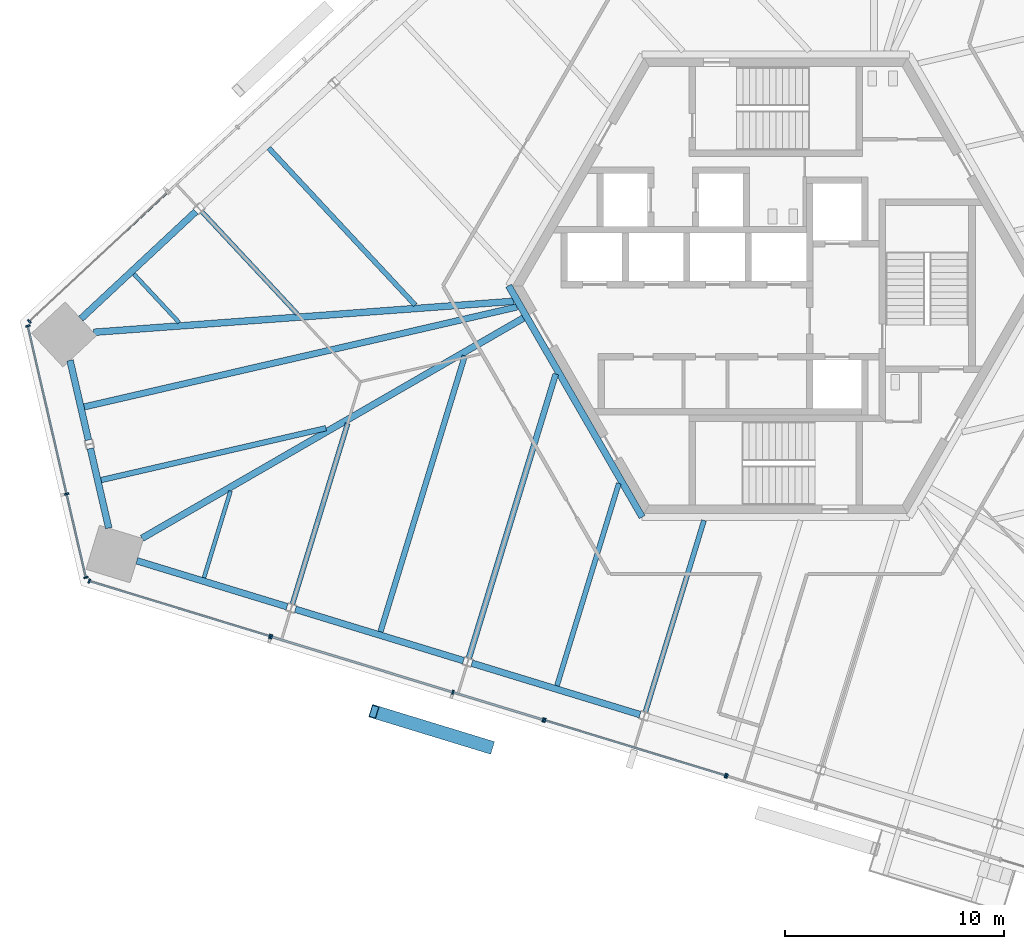
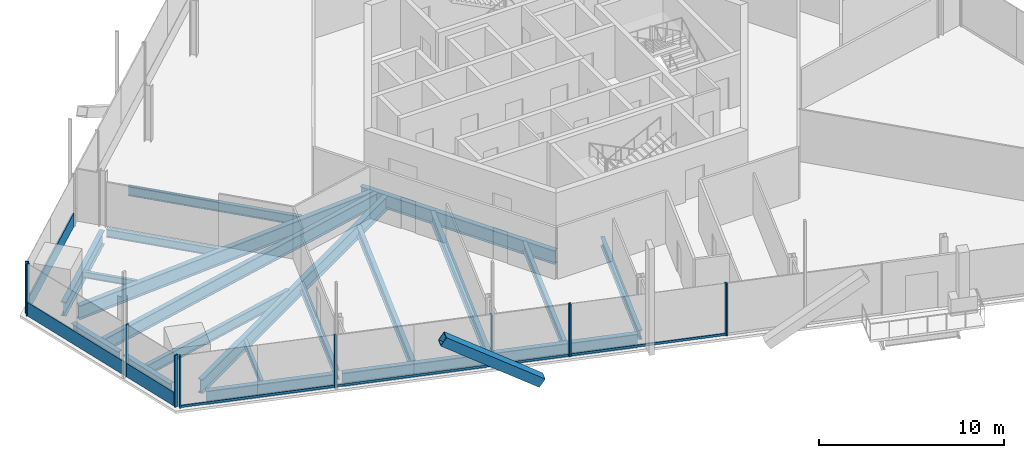
# One storey, part 4 of 21: 20 beams, 20 members, 6 elements without a shape of their own.
"""IFC4 building model written with IfcOpenShell, lengths in metres."""

from ifc_helpers import new_model, si_unit, direction, frame, origin, origin_2d, place, context, subcontext, project, spatial, rectangle, hollow_rectangle, i_section, extrude, source, transform, mapped, material, material_profile, profile_set, type_object, element, aggregate, save


model = new_model("IFC4")

# Units and contexts
model_context = context("Model", 3, precision=1e-05, world=origin(), true_north=direction((0.0, 1.0)))
body_context = subcontext(model_context, "Body", "Model", "MODEL_VIEW")
ifc_project = project(units=[si_unit("LENGTHUNIT", "METRE"), si_unit("AREAUNIT", "SQUARE_METRE"), si_unit("VOLUMEUNIT", "CUBIC_METRE"), si_unit("PLANEANGLEUNIT", "RADIAN"), si_unit("MASSUNIT", "GRAM", prefix="KILO")], contexts=[model_context])

# Site, building, storey
site_placement = place(None, origin())
site = spatial("IfcSite", under=ifc_project, at=site_placement, CompositionType="ELEMENT")
building_placement = place(site_placement, origin())
building = spatial("IfcBuilding", under=site, at=building_placement, Name="Triune Harvest Tower", CompositionType="ELEMENT")
storey_placement = place(building_placement, frame((0.0, 0.0, 119.89990234375)))
storey = spatial("IfcBuildingStorey", under=building, at=storey_placement, Name="L30", CompositionType="ELEMENT", Elevation=119.89990234375)

# Curtain wall, members
ifc_material_1 = material(Name="Aluminium bronze anodised", Category="aluminium")
curtain_wall_type_1 = type_object("IfcCurtainWallType", Name="CW-10 Balcony window wall with insulated spandrel infill", PredefinedType="NOTDEFINED", material=ifc_material_1)
curtain_wall_1_placement = place(storey_placement, origin())
curtain_wall_1 = element("IfcCurtainWall", 1, at=curtain_wall_1_placement, inside=storey, type_object=curtain_wall_type_1, Name="CW-10 B3-F5 L30 run 1001")
ifc_material_2 = material(Name="Aluminium bronze anodised", Category="aluminium")
ifc_material_profile_1 = material_profile(ifc_material_2, rectangle(XDim=0.090087890625, YDim=0.14990234375, at=origin_2d()), Name="TR-6 transom 90 x 150")
ifc_profile_set_1 = profile_set([ifc_material_profile_1], Name="Aluminium bronze anodised")
member_type_1 = type_object("IfcMemberType", Name="TR-6 transom 90 x 150", PredefinedType="USERDEFINED", material=ifc_profile_set_1)
member_1_placement = place(storey_placement, frame((-22.953125, -16.012939453125, 0.0751953125), z_axis=(0.956304476815, -0.292372617774, 0.0), x_axis=(0.292372617774, 0.956304476815, 0.0)))
member_1 = element("IfcMember", 2, at=member_1_placement, type_object=member_type_1, Name="CW-10 transom B3-F5 1001.1", ObjectType="TRANSOM", PredefinedType="USERDEFINED", context=body_context, shape_type="SweptSolid", body=[
    extrude(rectangle(XDim=0.090087890625, YDim=0.14990234375, at=origin_2d()), origin(), (0.0, 0.0, 1.0), 8.57421875),
])
member_2_placement = place(storey_placement, frame((-14.681884765625, -18.541748046875, 0.0751953125), z_axis=(0.956302732551, -0.292378322925, 0.0), x_axis=(0.292378322925, 0.956302732551, 0.0)))
member_2 = element("IfcMember", 3, at=member_2_placement, type_object=member_type_1, Name="CW-10 transom B3-F5 1001.2", ObjectType="TRANSOM", PredefinedType="USERDEFINED", context=body_context, shape_type="SweptSolid", body=[
    extrude(rectangle(XDim=0.090087890625, YDim=0.14990234375, at=origin_2d()), origin(), (0.0, 0.0, 1.0), 4.23095703125),
])

# Beams
ifc_material_3 = material(Name="Steel ASTM A992 Gr 50", Category="steel")
ifc_material_profile_2 = material_profile(ifc_material_3, i_section(OverallWidth=0.3046875, OverallDepth=0.914306640625, WebThickness=0.0166015625, FlangeThickness=0.02587890625, at=origin_2d()), Name="W36x160")
ifc_profile_set_2 = profile_set([ifc_material_profile_2], Name="Steel ASTM A992 Gr 50")
beam_type_1 = type_object("IfcBeamType", Name="CG-1 Core ring girder W36x160", PredefinedType="BEAM", material=ifc_profile_set_2)
shared_shape_1 = source(origin(), body_context, "Body", "SweptSolid", [
    extrude(i_section(OverallWidth=0.3046875, OverallDepth=0.914306640625, WebThickness=0.0166015625, FlangeThickness=0.02587890625, at=origin_2d()), origin(), (0.0, 0.0, 1.0), 12.176025390625),
])
beam_1_placement = place(storey_placement, frame((-12.176025390625, 0.0, -0.6171875), z_axis=(0.5000099932, -0.866019634131, 0.0), x_axis=(0.866019634131, 0.5000099932, 0.0)))
element("IfcBeam", 4, at=beam_1_placement, inside=storey, type_object=beam_type_1, Name="beam/L30/CG4", PredefinedType="BEAM", context=body_context, shape_type="MappedRepresentation", body=[
    mapped(shared_shape_1, transform((0.0, 0.0, 0.0), scale=1.0)),
])
ifc_material_4 = material(Name="Steel ASTM A992 Gr 50", Category="steel")
ifc_material_profile_3 = material_profile(ifc_material_4, i_section(OverallWidth=0.3046875, OverallDepth=0.914306640625, WebThickness=0.0166015625, FlangeThickness=0.02587890625, at=origin_2d()), Name="W36x160")
ifc_profile_set_3 = profile_set([ifc_material_profile_3], Name="Steel ASTM A992 Gr 50")
beam_type_2 = type_object("IfcBeamType", Name="SB-1 Spandrel beam W36x160", PredefinedType="SPANDREL", material=ifc_profile_set_3)
shared_shape_2 = source(origin(), body_context, "Body", "SweptSolid", [
    extrude(i_section(OverallWidth=0.3046875, OverallDepth=0.914306640625, WebThickness=0.0166015625, FlangeThickness=0.02587890625, at=origin_2d()), origin(), (0.0, 0.0, 1.0), 8.018310546875),
])
beam_2_placement = place(storey_placement, frame((-21.8994140625, -14.747314453125, -0.6171875), z_axis=(0.956308069579, -0.292360866152, 0.0), x_axis=(0.292360866152, 0.956308069579, 0.0)))
element("IfcBeam", 5, at=beam_2_placement, inside=storey, type_object=beam_type_2, Name="beam/L30/SB18", PredefinedType="SPANDREL", context=body_context, shape_type="MappedRepresentation", body=[
    mapped(shared_shape_2, transform((0.0, 0.0, 0.0), scale=1.0)),
])
shared_shape_3 = source(origin(), body_context, "Body", "SweptSolid", [
    extrude(i_section(OverallWidth=0.3046875, OverallDepth=0.914306640625, WebThickness=0.0166015625, FlangeThickness=0.02587890625, at=origin_2d()), origin(), (0.0, 0.0, 1.0), 8.01806640625),
])
beam_3_placement = place(storey_placement, frame((-13.8525390625, -17.207275390625, -0.6171875), z_axis=(0.956305466934, -0.292369379231, 0.0), x_axis=(0.292369379231, 0.956305466934, 0.0)))
element("IfcBeam", 6, at=beam_3_placement, inside=storey, type_object=beam_type_2, Name="beam/L30/SB19", PredefinedType="SPANDREL", context=body_context, shape_type="MappedRepresentation", body=[
    mapped(shared_shape_3, transform((0.0, 0.0, 0.0), scale=1.0)),
])
shared_shape_4 = source(origin(), body_context, "Body", "SweptSolid", [
    extrude(i_section(OverallWidth=0.3046875, OverallDepth=0.914306640625, WebThickness=0.0166015625, FlangeThickness=0.02587890625, at=origin_2d()), origin(), (0.0, 0.0, 1.0), 7.16650390625),
])
for number, where, z_axis, x_axis, name in (
    (7, (-26.4375, 3.384521484375, -0.6171875), (-0.731357675554, -0.681994098515, 0.0), (0.681994098515, -0.731357675554, 0.0), "beam/L30/SB14"),
    (8, (-29.131591796875, -12.5361328125, -0.6171875), (0.956306336732, -0.292366534211, 0.0), (0.292366534211, 0.956306336732, 0.0), "beam/L30/SB17"),
):
    element("IfcBeam", number, at=place(storey_placement, frame(where, z_axis=z_axis, x_axis=x_axis)), inside=storey, type_object=beam_type_2, Name=name, PredefinedType="SPANDREL", context=body_context, shape_type="MappedRepresentation", body=[
        mapped(shared_shape_4, transform((0.0, 0.0, 0.0), scale=1.0)),
    ])
shared_shape_5 = source(origin(), body_context, "Body", "SweptSolid", [
    extrude(i_section(OverallWidth=0.3046875, OverallDepth=0.914306640625, WebThickness=0.0166015625, FlangeThickness=0.02587890625, at=origin_2d()), origin(), (0.0, 0.0, 1.0), 3.72607421875),
])
for number, where, z_axis, x_axis, name in (
    (9, (-32.173828125, -3.400390625, -0.6171875), (0.224936070713, -0.974373523908, 0.0), (0.974373523908, 0.224936070713, 0.0), "beam/L30/SB15"),
    (10, (-31.24658203125, -7.4169921875, -0.6171875), (0.224998275907, -0.974359161623, 0.0), (0.974359161623, 0.224998275907, 0.0), "beam/L30/SB16"),
):
    element("IfcBeam", number, at=place(storey_placement, frame(where, z_axis=z_axis, x_axis=x_axis)), inside=storey, type_object=beam_type_2, Name=name, PredefinedType="SPANDREL", context=body_context, shape_type="MappedRepresentation", body=[
        mapped(shared_shape_5, transform((0.0, 0.0, 0.0), scale=1.0)),
    ])
ifc_material_5 = material(Name="Steel ASTM A992 Gr 50", Category="steel")
ifc_material_profile_4 = material_profile(ifc_material_5, i_section(OverallWidth=0.307373046875, OverallDepth=0.922119140625, WebThickness=0.018310546875, FlangeThickness=0.030029296875, at=origin_2d()), Name="W36x182")
ifc_profile_set_4 = profile_set([ifc_material_profile_4], Name="Steel ASTM A992 Gr 50")
beam_type_3 = type_object("IfcBeamType", Name="HG-2 Hip girder W36x182", PredefinedType="BEAM", material=ifc_profile_set_4)
shared_shape_6 = source(origin(), body_context, "Body", "SweptSolid", [
    extrude(i_section(OverallWidth=0.307373046875, OverallDepth=0.922119140625, WebThickness=0.018310546875, FlangeThickness=0.030029296875, at=origin_2d()), origin(), (0.0, 0.0, 1.0), 19.2109375),
])
beam_4_placement = place(storey_placement, frame((-31.103515625, -2.119873046875, -0.620849609375), z_axis=(0.997285410262, 0.07363294425, 0.0), x_axis=(-0.07363294425, 0.997285410262, 0.0)))
element("IfcBeam", 11, at=beam_4_placement, inside=storey, type_object=beam_type_3, Name="beam/L30/HG5", PredefinedType="BEAM", context=body_context, shape_type="MappedRepresentation", body=[
    mapped(shared_shape_6, transform((0.0, 0.0, 0.0), scale=1.0)),
])
shared_shape_7 = source(origin(), body_context, "Body", "SweptSolid", [
    extrude(i_section(OverallWidth=0.307373046875, OverallDepth=0.922119140625, WebThickness=0.018310546875, FlangeThickness=0.030029296875, at=origin_2d()), origin(), (0.0, 0.0, 1.0), 20.080078125),
])
beam_5_placement = place(storey_placement, frame((-28.892333984375, -11.51123046875, -0.620849609375), z_axis=(0.866025837197, 0.499999249307, 0.0), x_axis=(-0.499999249307, 0.866025837197, 0.0)))
element("IfcBeam", 12, at=beam_5_placement, inside=storey, type_object=beam_type_3, Name="beam/L30/HG6", PredefinedType="BEAM", context=body_context, shape_type="MappedRepresentation", body=[
    mapped(shared_shape_7, transform((0.0, 0.0, 0.0), scale=1.0)),
])
ifc_material_6 = material(Name="Steel ASTM A992 Gr 50", Category="steel")
ifc_material_profile_5 = material_profile(ifc_material_6, i_section(OverallWidth=0.22900390625, OverallDepth=0.612060546875, WebThickness=0.011962890625, FlangeThickness=0.01953125, at=origin_2d()), Name="W24x84")
ifc_profile_set_5 = profile_set([ifc_material_profile_5], Name="Steel ASTM A992 Gr 50")
beam_type_4 = type_object("IfcBeamType", Name="JT-3 Floor joist W24x84", PredefinedType="JOIST", material=ifc_profile_set_5)
shared_shape_8 = source(origin(), body_context, "Body", "SweptSolid", [
    extrude(i_section(OverallWidth=0.22900390625, OverallDepth=0.612060546875, WebThickness=0.011962890625, FlangeThickness=0.01953125, at=origin_2d()), origin(), (0.0, 0.0, 1.0), 9.129150390625),
])
beam_6_placement = place(storey_placement, frame((-5.939453125, -19.42724609375, -0.466064453125), z_axis=(0.292356457167, 0.956309417476, 0.0), x_axis=(-0.956309417476, 0.292356457167, 0.0)))
element("IfcBeam", 13, at=beam_6_placement, inside=storey, type_object=beam_type_4, Name="beam/L30/JT32", PredefinedType="JOIST", context=body_context, shape_type="MappedRepresentation", body=[
    mapped(shared_shape_8, transform((0.0, 0.0, 0.0), scale=1.0)),
])
shared_shape_9 = source(origin(), body_context, "Body", "SweptSolid", [
    extrude(i_section(OverallWidth=0.22900390625, OverallDepth=0.612060546875, WebThickness=0.011962890625, FlangeThickness=0.01953125, at=origin_2d()), origin(), (0.0, 0.0, 1.0), 9.790283203125),
])
beam_7_placement = place(storey_placement, frame((-23.11181640625, 6.27734375, -0.466064453125), z_axis=(0.682000995077, -0.731351244419, 0.0), x_axis=(0.731351244419, 0.682000995077, 0.0)))
element("IfcBeam", 14, at=beam_7_placement, inside=storey, type_object=beam_type_4, Name="beam/L30/JT22", PredefinedType="JOIST", context=body_context, shape_type="MappedRepresentation", body=[
    mapped(shared_shape_9, transform((0.0, 0.0, 0.0), scale=1.0)),
])
ifc_material_7 = material(Name="Steel ASTM A992 Gr 50", Category="steel")
ifc_material_profile_6 = material_profile(ifc_material_7, i_section(OverallWidth=0.180908203125, OverallDepth=0.41650390625, WebThickness=0.010986328125, FlangeThickness=0.01806640625, at=origin_2d()), Name="W16x57")
ifc_profile_set_6 = profile_set([ifc_material_profile_6], Name="Steel ASTM A992 Gr 50")
beam_type_5 = type_object("IfcBeamType", Name="JT-1 Floor joist W16x57", PredefinedType="JOIST", material=ifc_profile_set_6)
shared_shape_10 = source(origin(), body_context, "Body", "SweptSolid", [
    extrude(i_section(OverallWidth=0.180908203125, OverallDepth=0.41650390625, WebThickness=0.010986328125, FlangeThickness=0.01806640625, at=origin_2d()), origin(), (0.0, 0.0, 1.0), 3.0302734375),
])
beam_8_placement = place(storey_placement, frame((-29.265625, 0.538818359375, -0.3681640625), z_axis=(0.681982331581, -0.731368648091, 0.0), x_axis=(0.731368648091, 0.681982331581, 0.0)))
element("IfcBeam", 15, at=beam_8_placement, inside=storey, type_object=beam_type_5, Name="beam/L30/JT24", PredefinedType="JOIST", context=body_context, shape_type="MappedRepresentation", body=[
    mapped(shared_shape_10, transform((0.0, 0.0, 0.0), scale=1.0)),
])
shared_shape_11 = source(origin(), body_context, "Body", "SweptSolid", [
    extrude(i_section(OverallWidth=0.180908203125, OverallDepth=0.41650390625, WebThickness=0.010986328125, FlangeThickness=0.01806640625, at=origin_2d()), origin(), (0.0, 0.0, 1.0), 4.134033203125),
])
beam_9_placement = place(storey_placement, frame((-26.067626953125, -13.3134765625, -0.3681640625), z_axis=(0.29238807321, 0.956299751461, 0.0), x_axis=(-0.956299751461, 0.29238807321, 0.0)))
element("IfcBeam", 16, at=beam_9_placement, inside=storey, type_object=beam_type_5, Name="beam/L30/JT27", PredefinedType="JOIST", context=body_context, shape_type="MappedRepresentation", body=[
    mapped(shared_shape_11, transform((0.0, 0.0, 0.0), scale=1.0)),
])
shared_shape_12 = source(origin(), body_context, "Body", "SweptSolid", [
    extrude(i_section(OverallWidth=0.22900390625, OverallDepth=0.612060546875, WebThickness=0.011962890625, FlangeThickness=0.01953125, at=origin_2d()), origin(), (0.0, 0.0, 1.0), 8.607666015625),
])
beam_10_placement = place(storey_placement, frame((-22.033203125, -14.507080078125, -0.466064453125), z_axis=(0.29237129862, 0.956304880121, 0.0), x_axis=(-0.956304880121, 0.29237129862, 0.0)))
element("IfcBeam", 17, at=beam_10_placement, inside=storey, type_object=beam_type_4, Name="beam/L30/JT28", PredefinedType="JOIST", context=body_context, shape_type="MappedRepresentation", body=[
    mapped(shared_shape_12, transform((0.0, 0.0, 0.0), scale=1.0)),
])
ifc_material_8 = material(Name="Steel ASTM A992 Gr 50", Category="steel")
ifc_material_profile_7 = material_profile(ifc_material_8, i_section(OverallWidth=0.253662109375, OverallDepth=0.683349609375, WebThickness=0.012451171875, FlangeThickness=0.01904296875, at=origin_2d()), Name="W27x94")
ifc_profile_set_7 = profile_set([ifc_material_profile_7], Name="Steel ASTM A992 Gr 50")
beam_type_6 = type_object("IfcBeamType", Name="JT-4 Floor joist W27x94", PredefinedType="JOIST", material=ifc_profile_set_7)
shared_shape_13 = source(origin(), body_context, "Body", "SweptSolid", [
    extrude(i_section(OverallWidth=0.253662109375, OverallDepth=0.683349609375, WebThickness=0.012451171875, FlangeThickness=0.01904296875, at=origin_2d()), origin(), (0.0, 0.0, 1.0), 13.157470703125),
])
beam_11_placement = place(storey_placement, frame((-18.02099609375, -15.773681640625, -0.50146484375), z_axis=(0.292375983311, 0.956303447857, 0.0), x_axis=(-0.956303447857, 0.292375983311, 0.0)))
element("IfcBeam", 18, at=beam_11_placement, inside=storey, type_object=beam_type_6, Name="beam/L30/JT29", PredefinedType="JOIST", context=body_context, shape_type="MappedRepresentation", body=[
    mapped(shared_shape_13, transform((0.0, 0.0, 0.0), scale=1.0)),
])
shared_shape_14 = source(origin(), body_context, "Body", "SweptSolid", [
    extrude(i_section(OverallWidth=0.22900390625, OverallDepth=0.612060546875, WebThickness=0.011962890625, FlangeThickness=0.01953125, at=origin_2d()), origin(), (0.0, 0.0, 1.0), 9.64990234375),
])
beam_12_placement = place(storey_placement, frame((-9.97412109375, -18.233642578125, -0.466064453125), z_axis=(0.292387575984, 0.956299903488, 0.0), x_axis=(-0.956299903488, 0.292387575984, 0.0)))
element("IfcBeam", 19, at=beam_12_placement, inside=storey, type_object=beam_type_4, Name="beam/L30/JT31", PredefinedType="JOIST", context=body_context, shape_type="MappedRepresentation", body=[
    mapped(shared_shape_14, transform((0.0, 0.0, 0.0), scale=1.0)),
])
ifc_material_9 = material(Name="Steel ASTM A992 Gr 50", Category="steel")
ifc_material_profile_8 = material_profile(ifc_material_9, i_section(OverallWidth=0.2099609375, OverallDepth=0.535888671875, WebThickness=0.010986328125, FlangeThickness=0.017333984375, at=origin_2d()), Name="W21x68")
ifc_profile_set_8 = profile_set([ifc_material_profile_8], Name="Steel ASTM A992 Gr 50")
beam_type_7 = type_object("IfcBeamType", Name="JT-2 Floor joist W21x68", PredefinedType="JOIST", material=ifc_profile_set_8)
shared_shape_15 = source(origin(), body_context, "Body", "SweptSolid", [
    extrude(i_section(OverallWidth=0.2099609375, OverallDepth=0.535888671875, WebThickness=0.010986328125, FlangeThickness=0.017333984375, at=origin_2d()), origin(), (0.0, 0.0, 1.0), 6.3720703125),
])
beam_13_placement = place(storey_placement, frame((-26.16259765625, 3.380126953125, -0.427978515625), z_axis=(0.682001475832, -0.731350796105, 0.0), x_axis=(0.731350796105, 0.682001475832, 0.0)))
element("IfcBeam", 20, at=beam_13_placement, inside=storey, type_object=beam_type_7, Name="beam/L30/JT23", PredefinedType="JOIST", context=body_context, shape_type="MappedRepresentation", body=[
    mapped(shared_shape_15, transform((0.0, 0.0, 0.0), scale=1.0)),
])
ifc_material_10 = material(Name="Steel ASTM A992 Gr 50", Category="steel")
ifc_material_profile_9 = material_profile(ifc_material_10, i_section(OverallWidth=0.2919921875, OverallDepth=0.8583984375, WebThickness=0.01708984375, FlangeThickness=0.031005859375, at=origin_2d()), Name="W33x169")
ifc_profile_set_9 = profile_set([ifc_material_profile_9], Name="Steel ASTM A992 Gr 50")
beam_type_8 = type_object("IfcBeamType", Name="JT-7 Floor joist W33x169", PredefinedType="JOIST", material=ifc_profile_set_9)
shared_shape_16 = source(origin(), body_context, "Body", "SweptSolid", [
    extrude(i_section(OverallWidth=0.2919921875, OverallDepth=0.8583984375, WebThickness=0.01708984375, FlangeThickness=0.031005859375, at=origin_2d()), origin(), (0.0, 0.0, 1.0), 20.25244140625),
])
beam_14_placement = place(storey_placement, frame((-31.52783203125, -5.521484375, -0.589111328125), z_axis=(0.974371687507, 0.224944025448, 0.0), x_axis=(-0.224944025448, 0.974371687507, 0.0)))
element("IfcBeam", 21, at=beam_14_placement, inside=storey, type_object=beam_type_8, Name="beam/L30/JT25", PredefinedType="JOIST", context=body_context, shape_type="MappedRepresentation", body=[
    mapped(shared_shape_16, transform((0.0, 0.0, 0.0), scale=1.0)),
])
shared_shape_17 = source(origin(), body_context, "Body", "SweptSolid", [
    extrude(i_section(OverallWidth=0.253662109375, OverallDepth=0.683349609375, WebThickness=0.012451171875, FlangeThickness=0.01904296875, at=origin_2d()), origin(), (0.0, 0.0, 1.0), 10.52294921875),
])
beam_15_placement = place(storey_placement, frame((-30.75732421875, -8.858154296875, -0.50146484375), z_axis=(0.974368902387, 0.224956089186, 0.0), x_axis=(-0.224956089186, 0.974368902387, 0.0)))
element("IfcBeam", 22, at=beam_15_placement, inside=storey, type_object=beam_type_6, Name="beam/L30/JT26", PredefinedType="JOIST", context=body_context, shape_type="MappedRepresentation", body=[
    mapped(shared_shape_17, transform((0.0, 0.0, 0.0), scale=1.0)),
])
ifc_material_11 = material(Name="Steel ASTM A992 Gr 50", Category="steel")
ifc_material_profile_10 = material_profile(ifc_material_11, i_section(OverallWidth=0.2666015625, OverallDepth=0.7568359375, WebThickness=0.013916015625, FlangeThickness=0.019287109375, at=origin_2d()), Name="W30x108")
ifc_profile_set_10 = profile_set([ifc_material_profile_10], Name="Steel ASTM A992 Gr 50")
beam_type_9 = type_object("IfcBeamType", Name="JT-5 Floor joist W30x108", PredefinedType="JOIST", material=ifc_profile_set_10)
shared_shape_18 = source(origin(), body_context, "Body", "SweptSolid", [
    extrude(i_section(OverallWidth=0.2666015625, OverallDepth=0.7568359375, WebThickness=0.013916015625, FlangeThickness=0.019287109375, at=origin_2d()), origin(), (0.0, 0.0, 1.0), 13.53515625),
])
beam_16_placement = place(storey_placement, frame((-13.986328125, -16.96728515625, -0.538330078125), z_axis=(0.292367922799, 0.956305912205, 0.0), x_axis=(-0.956305912205, 0.292367922799, 0.0)))
element("IfcBeam", 23, at=beam_16_placement, inside=storey, type_object=beam_type_9, Name="beam/L30/JT30", PredefinedType="JOIST", context=body_context, shape_type="MappedRepresentation", body=[
    mapped(shared_shape_18, transform((0.0, 0.0, 0.0), scale=1.0)),
])

# Member
ifc_material_12 = material(Name="Steel ASTM A572 Gr 50", Category="steel")
ifc_material_profile_11 = material_profile(ifc_material_12, hollow_rectangle(XDim=0.60009765625, YDim=0.60009765625, WallThickness=0.0400390625, at=origin_2d()), Name="Box 600x600x40")
ifc_profile_set_11 = profile_set([ifc_material_profile_11], Name="Steel ASTM A572 Gr 50")
member_type_2 = type_object("IfcMemberType", Name="BR-2 Brace Box 600x600x40", PredefinedType="BRACE", material=ifc_profile_set_11)
shared_shape_19 = source(origin(), body_context, "Body", "SweptSolid", [
    extrude(hollow_rectangle(XDim=0.60009765625, YDim=0.60009765625, WallThickness=0.0400390625, at=origin_2d()), origin(), (0.0, 0.0, 1.0), 6.56640625),
])
member_3_placement = place(storey_placement, frame((-13.066162109375, -21.022705078125, 0.0), z_axis=(-0.799754510261, 0.24453674635, 0.548264993413), x_axis=(-0.292401508485, -0.956295643531, 0.0)))
element("IfcMember", 24, at=member_3_placement, inside=storey, type_object=member_type_2, Name="brace/B3-F5/d2/7", PredefinedType="BRACE", context=body_context, shape_type="MappedRepresentation", body=[
    mapped(shared_shape_19, transform((0.0, 0.0, 0.0), scale=1.0)),
])

# Curtain wall, member
ifc_material_13 = material(Name="Aluminium bronze anodised", Category="aluminium")
curtain_wall_type_2 = type_object("IfcCurtainWallType", Name="CW-1 Tower stick curtain wall", PredefinedType="NOTDEFINED", material=ifc_material_13)
curtain_wall_2_placement = place(storey_placement, origin())
curtain_wall_2 = element("IfcCurtainWall", 25, at=curtain_wall_2_placement, inside=storey, type_object=curtain_wall_type_2, Name="CW-1 B3-F3 L30 run 4001")
ifc_material_14 = material(Name="Aluminium bronze anodised", Category="aluminium")
ifc_material_profile_12 = material_profile(ifc_material_14, rectangle(XDim=0.199951171875, YDim=0.074951171875, at=origin_2d()), Name="MU-1 mullion 75 x 200")
ifc_profile_set_12 = profile_set([ifc_material_profile_12], Name="Aluminium bronze anodised")
member_type_3 = type_object("IfcMemberType", Name="MU-1 mullion 75 x 200", PredefinedType="MULLION", material=ifc_profile_set_12)
shared_shape_20 = source(origin(), body_context, "Body", "SweptSolid", [
    extrude(rectangle(XDim=0.199951171875, YDim=0.074951171875, at=origin_2d()), origin(), (0.0, 0.0, 1.0), 3.440185546875),
])
member_4_placement = place(storey_placement, frame((-34.0302734375, -1.619384765625, 0.0), z_axis=(0.0, 0.0, 1.0), x_axis=(0.681997510149, -0.731354494176, 0.0)))
member_4 = element("IfcMember", 26, at=member_4_placement, type_object=member_type_3, Name="CW-1 mullion B3-F3 4001.3", PredefinedType="MULLION", context=body_context, shape_type="MappedRepresentation", body=[
    mapped(shared_shape_20, transform((0.0, 0.0, 0.0), scale=1.0)),
])

# Curtain wall, members
curtain_wall_3_placement = place(storey_placement, origin())
curtain_wall_3 = element("IfcCurtainWall", 27, at=curtain_wall_3_placement, inside=storey, type_object=curtain_wall_type_2, Name="CW-1 B3-F4 L30 run 1")
member_5_placement = place(storey_placement, frame((-34.0947265625, -1.83056640625, 0.0), z_axis=(0.0, 0.0, 1.0), x_axis=(0.974371012181, 0.224946950683, 0.0)))
member_5 = element("IfcMember", 28, at=member_5_placement, type_object=member_type_3, Name="CW-1 mullion B3-F4 1.1", PredefinedType="MULLION", context=body_context, shape_type="MappedRepresentation", body=[
    mapped(shared_shape_20, transform((0.0, 0.0, 0.0), scale=1.0)),
])
member_6_placement = place(storey_placement, frame((-32.32666015625, -9.489501953125, 0.0), z_axis=(0.0, 0.0, 1.0), x_axis=(0.974371012181, 0.224946950683, 0.0)))
member_6 = element("IfcMember", 29, at=member_6_placement, type_object=member_type_3, Name="CW-1 mullion B3-F4 1.3", PredefinedType="MULLION", context=body_context, shape_type="MappedRepresentation", body=[
    mapped(shared_shape_20, transform((0.0, 0.0, 0.0), scale=1.0)),
])
member_7_placement = place(storey_placement, frame((-31.44677734375, -13.30078125, 0.0), z_axis=(0.0, 0.0, 1.0), x_axis=(0.974371012181, 0.224946950683, 0.0)))
member_7 = element("IfcMember", 30, at=member_7_placement, type_object=member_type_3, Name="CW-1 mullion B3-F4 1.4", PredefinedType="MULLION", context=body_context, shape_type="MappedRepresentation", body=[
    mapped(shared_shape_20, transform((0.0, 0.0, 0.0), scale=1.0)),
])

ifc_material_15 = material(Name="Aluminium bronze anodised", Category="aluminium")
curtain_wall_type_3 = type_object("IfcCurtainWallType", Name="CW-6 Balcony window wall", PredefinedType="NOTDEFINED", material=ifc_material_15)
curtain_wall_4_placement = place(storey_placement, origin())
curtain_wall_4 = element("IfcCurtainWall", 31, at=curtain_wall_4_placement, inside=storey, type_object=curtain_wall_type_3, Name="CW-6 B3-F5 L30 run 1")
ifc_material_16 = material(Name="Aluminium bronze anodised", Category="aluminium")
ifc_material_profile_13 = material_profile(ifc_material_16, rectangle(XDim=0.199951171875, YDim=0.074951171875, at=origin_2d()), Name="MU-6 mullion 75 x 200")
ifc_profile_set_13 = profile_set([ifc_material_profile_13], Name="Aluminium bronze anodised")
member_type_4 = type_object("IfcMemberType", Name="MU-6 mullion 75 x 200", PredefinedType="MULLION", material=ifc_profile_set_13)
shared_shape_21 = source(origin(), body_context, "Body", "SweptSolid", [
    extrude(rectangle(XDim=0.199951171875, YDim=0.074951171875, at=origin_2d()), origin(), (0.0, 0.0, 1.0), 3.440185546875),
])
member_8_placement = place(storey_placement, frame((-31.296142578125, -13.462158203125, 0.0), z_axis=(0.0, 0.0, 1.0), x_axis=(0.292376029004, 0.956303433887, 0.0)))
member_8 = element("IfcMember", 32, at=member_8_placement, type_object=member_type_4, Name="CW-6 mullion B3-F5 1.1", PredefinedType="MULLION", context=body_context, shape_type="MappedRepresentation", body=[
    mapped(shared_shape_21, transform((0.0, 0.0, 0.0), scale=1.0)),
])
member_9_placement = place(storey_placement, frame((-23.060791015625, -15.980224609375, 0.0), z_axis=(0.0, 0.0, 1.0), x_axis=(0.292376029004, 0.956303433887, 0.0)))
member_9 = element("IfcMember", 33, at=member_9_placement, type_object=member_type_4, Name="CW-6 mullion B3-F5 1.3", PredefinedType="MULLION", context=body_context, shape_type="MappedRepresentation", body=[
    mapped(shared_shape_21, transform((0.0, 0.0, 0.0), scale=1.0)),
])

# Member
member_10_placement = place(storey_placement, frame((-22.989013671875, -16.001953125, 0.0), z_axis=(0.0, 0.0, 1.0), x_axis=(0.292368274405, 0.95630580471, 0.0)))
member_10 = element("IfcMember", 34, at=member_10_placement, type_object=member_type_4, Name="CW-10 mullion B3-F5 1001.1", PredefinedType="MULLION", context=body_context, shape_type="MappedRepresentation", body=[
    mapped(shared_shape_21, transform((0.0, 0.0, 0.0), scale=1.0)),
])

member_11_placement = place(storey_placement, frame((-14.7177734375, -18.53076171875, 0.0), z_axis=(0.0, 0.0, 1.0), x_axis=(0.292368274405, 0.95630580471, 0.0)))
member_11 = element("IfcMember", 35, at=member_11_placement, type_object=member_type_4, Name="CW-10 mullion B3-F5 1001.3", PredefinedType="MULLION", context=body_context, shape_type="MappedRepresentation", body=[
    mapped(shared_shape_21, transform((0.0, 0.0, 0.0), scale=1.0)),
])

member_12_placement = place(storey_placement, frame((-10.599853515625, -19.789794921875, 0.0), z_axis=(0.0, 0.0, 1.0), x_axis=(0.292368274405, 0.95630580471, 0.0)))
member_12 = element("IfcMember", 36, at=member_12_placement, type_object=member_type_4, Name="CW-10 mullion B3-F5 1001.4", PredefinedType="MULLION", context=body_context, shape_type="MappedRepresentation", body=[
    mapped(shared_shape_21, transform((0.0, 0.0, 0.0), scale=1.0)),
])

aggregate(curtain_wall_1, [member_10, member_11, member_12, member_1, member_2])

# Curtain wall, members
curtain_wall_5_placement = place(storey_placement, origin())
curtain_wall_5 = element("IfcCurtainWall", 37, at=curtain_wall_5_placement, inside=storey, type_object=curtain_wall_type_3, Name="CW-6 B3-F5 L30 run 2001")
member_13_placement = place(storey_placement, frame((-10.5283203125, -19.811767578125, 0.0), z_axis=(0.0, 0.0, 1.0), x_axis=(0.292378511586, 0.956302674869, 0.0)))
member_13 = element("IfcMember", 38, at=member_13_placement, type_object=member_type_4, Name="CW-6 mullion B3-F5 2001.1", PredefinedType="MULLION", context=body_context, shape_type="MappedRepresentation", body=[
    mapped(shared_shape_21, transform((0.0, 0.0, 0.0), scale=1.0)),
])
member_14_placement = place(storey_placement, frame((-2.29296875, -22.32958984375, 0.0), z_axis=(0.0, 0.0, 1.0), x_axis=(0.292378511586, 0.956302674869, 0.0)))
member_14 = element("IfcMember", 39, at=member_14_placement, type_object=member_type_4, Name="CW-6 mullion B3-F5 2001.3", PredefinedType="MULLION", context=body_context, shape_type="MappedRepresentation", body=[
    mapped(shared_shape_21, transform((0.0, 0.0, 0.0), scale=1.0)),
])

# Curtain wall, member
curtain_wall_6_placement = place(storey_placement, origin())
curtain_wall_6 = element("IfcCurtainWall", 40, at=curtain_wall_6_placement, inside=storey, type_object=curtain_wall_type_1, Name="CW-10 B3-F5 L30 run 3001")
member_15_placement = place(storey_placement, frame((-2.22119140625, -22.3515625, 0.0), z_axis=(0.0, 0.0, 1.0), x_axis=(0.292373465621, 0.956304217601, 0.0)))
member_15 = element("IfcMember", 41, at=member_15_placement, type_object=member_type_4, Name="CW-10 mullion B3-F5 3001.1", PredefinedType="MULLION", context=body_context, shape_type="MappedRepresentation", body=[
    mapped(shared_shape_21, transform((0.0, 0.0, 0.0), scale=1.0)),
])
aggregate(curtain_wall_6, [member_15])

# Member
ifc_material_17 = material(Name="Aluminium bronze anodised", Category="aluminium")
ifc_material_profile_14 = material_profile(ifc_material_17, rectangle(XDim=0.090087890625, YDim=0.89990234375, at=origin_2d()), Name="TR-1 transom 90 x 900")
ifc_profile_set_14 = profile_set([ifc_material_profile_14], Name="Aluminium bronze anodised")
member_type_5 = type_object("IfcMemberType", Name="TR-1 transom 90 x 900", PredefinedType="USERDEFINED", material=ifc_profile_set_14)
shared_shape_22 = source(origin(), body_context, "Body", "SweptSolid", [
    extrude(rectangle(XDim=0.090087890625, YDim=0.89990234375, at=origin_2d()), origin(), (0.0, 0.0, 1.0), 3.83642578125),
])
member_16_placement = place(storey_placement, frame((-32.318115234375, -9.526123046875, 0.4501953125), z_axis=(0.224901336827, -0.974381541642, 0.0), x_axis=(0.974381541642, 0.224901336827, 0.0)))
member_16 = element("IfcMember", 42, at=member_16_placement, type_object=member_type_5, Name="CW-1 transom B3-F4 1.2", ObjectType="TRANSOM", PredefinedType="USERDEFINED", context=body_context, shape_type="MappedRepresentation", body=[
    mapped(shared_shape_22, transform((0.0, 0.0, 0.0), scale=1.0)),
])

shared_shape_23 = source(origin(), body_context, "Body", "SweptSolid", [
    extrude(rectangle(XDim=0.090087890625, YDim=0.89990234375, at=origin_2d()), origin(), (0.0, 0.0, 1.0), 7.785400390625),
])
member_17_placement = place(storey_placement, frame((-34.08642578125, -1.8671875, 0.4501953125), z_axis=(0.22493508372, -0.974373751756, 0.0), x_axis=(0.974373751756, 0.22493508372, 0.0)))
member_17 = element("IfcMember", 43, at=member_17_placement, type_object=member_type_5, Name="CW-1 transom B3-F4 1.1", ObjectType="TRANSOM", PredefinedType="USERDEFINED", context=body_context, shape_type="MappedRepresentation", body=[
    mapped(shared_shape_23, transform((0.0, 0.0, 0.0), scale=1.0)),
])

aggregate(curtain_wall_3, [member_5, member_6, member_7, member_17, member_16])

shared_shape_24 = source(origin(), body_context, "Body", "SweptSolid", [
    extrude(rectangle(XDim=0.090087890625, YDim=0.14990234375, at=origin_2d()), origin(), (0.0, 0.0, 1.0), 8.53662109375),
])
member_18_placement = place(storey_placement, frame((-31.26025390625, -13.47314453125, 0.0751953125), z_axis=(0.95629693954, -0.292397269868, 0.0), x_axis=(0.292397269868, 0.95629693954, 0.0)))
member_18 = element("IfcMember", 44, at=member_18_placement, type_object=member_type_1, Name="CW-6 transom B3-F5 1.1", ObjectType="TRANSOM", PredefinedType="USERDEFINED", context=body_context, shape_type="MappedRepresentation", body=[
    mapped(shared_shape_24, transform((0.0, 0.0, 0.0), scale=1.0)),
])

aggregate(curtain_wall_4, [member_8, member_9, member_18])

shared_shape_25 = source(origin(), body_context, "Body", "SweptSolid", [
    extrude(rectangle(XDim=0.090087890625, YDim=0.14990234375, at=origin_2d()), origin(), (0.0, 0.0, 1.0), 8.536865234375),
])
member_19_placement = place(storey_placement, frame((-10.492431640625, -19.822509765625, 0.0751953125), z_axis=(0.956299384554, -0.292389273234, 0.0), x_axis=(0.292389273234, 0.956299384554, 0.0)))
member_19 = element("IfcMember", 45, at=member_19_placement, type_object=member_type_1, Name="CW-6 transom B3-F5 2001.1", ObjectType="TRANSOM", PredefinedType="USERDEFINED", context=body_context, shape_type="MappedRepresentation", body=[
    mapped(shared_shape_25, transform((0.0, 0.0, 0.0), scale=1.0)),
])

aggregate(curtain_wall_5, [member_13, member_14, member_19])

shared_shape_26 = source(origin(), body_context, "Body", "SweptSolid", [
    extrude(rectangle(XDim=0.090087890625, YDim=0.89990234375, at=origin_2d()), origin(), (0.0, 0.0, 1.0), 8.526611328125),
])
member_20_placement = place(storey_placement, frame((-27.766845703125, 4.221435546875, 0.4501953125), z_axis=(-0.731357026947, -0.681994794067, 0.0), x_axis=(0.681994794067, -0.731357026947, 0.0)))
member_20 = element("IfcMember", 46, at=member_20_placement, type_object=member_type_5, Name="CW-1 transom B3-F3 4001.1", ObjectType="TRANSOM", PredefinedType="USERDEFINED", context=body_context, shape_type="MappedRepresentation", body=[
    mapped(shared_shape_26, transform((0.0, 0.0, 0.0), scale=1.0)),
])

aggregate(curtain_wall_2, [member_4, member_20])

save(model, "model.ifc")
